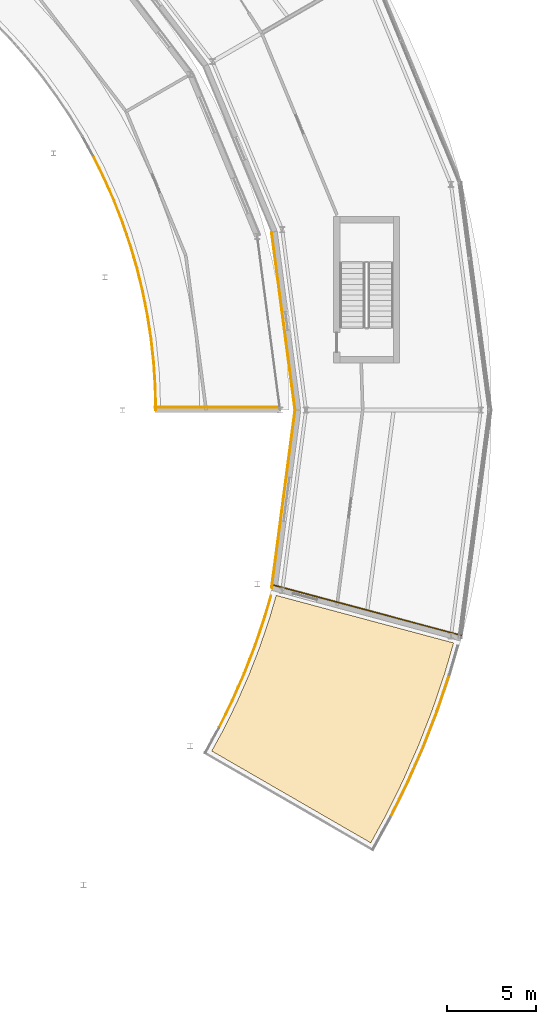
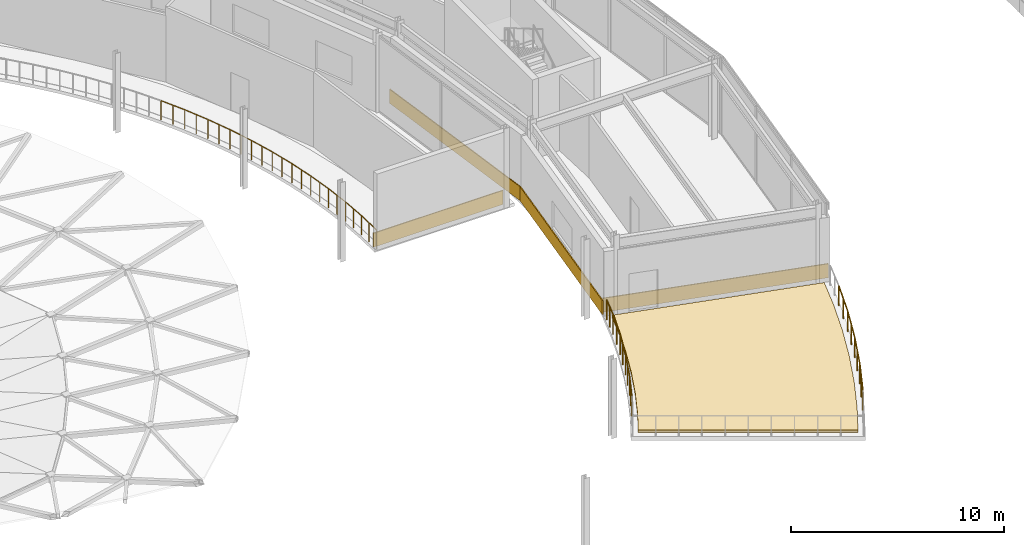
# One storey, part 101 of 116: 20 railings, 5 coverings.
"""IFC4 building model written with IfcOpenShell, lengths in metres."""

from ifc_helpers import new_model, si_unit, direction, frame, origin, origin_2d, place, context, subcontext, project, spatial, polyline, rectangle, circle, outline, extrude, material, layer, layer_set, type_object, element, save


model = new_model("IFC4")

# Units and contexts
model_context = context("Model", 3, precision=1e-05, world=origin(), true_north=direction((0.0, 1.0)))
body_context = subcontext(model_context, "Body", "Model", "MODEL_VIEW")
ifc_project = project(units=[si_unit("LENGTHUNIT", "METRE"), si_unit("AREAUNIT", "SQUARE_METRE"), si_unit("VOLUMEUNIT", "CUBIC_METRE"), si_unit("PLANEANGLEUNIT", "RADIAN"), si_unit("MASSUNIT", "GRAM", prefix="KILO")], contexts=[model_context])

# Site, building, storey
site_placement = place(None, origin())
site = spatial("IfcSite", under=ifc_project, at=site_placement, CompositionType="ELEMENT")
building_placement = place(site_placement, origin())
building = spatial("IfcBuilding", under=site, at=building_placement, Name="Almandine Court Research Institute", CompositionType="ELEMENT")
storey_placement = place(building_placement, frame((0.0, 0.0, 14.35009765625)))
storey = spatial("IfcBuildingStorey", under=building, at=storey_placement, Name="L03", CompositionType="ELEMENT", Elevation=14.35009765625)

# Coverings
ifc_material_1 = material(Name="Extruded Cream-Ochre Seismic Terracotta Spandrel", Category="masonry")
ifc_layer_1 = layer(ifc_material_1, 0.054931640625)
ifc_layer_set_1 = layer_set([ifc_layer_1], Name="Extruded Cream-Ochre Seismic Terracotta Spandrel")
covering_type_1 = type_object("IfcCoveringType", Name="Cov-CLAD-TERR", PredefinedType="CLADDING", material=ifc_layer_set_1)
for number, where, z_axis, x_axis, name in (
    (1, (124.83203125, 51.01904296875, 0.02001953125), (0.0, 0.0, 1.0), (0.13052619222, 0.991444861374, 0.0), "L03 Facade Spandrel Cladding Band 373"),
    (2, (124.83203125, 60.98095703125, 0.02001953125), (0.0, 0.0, 1.0), (-0.13052619222, 0.991444861374, 0.0), "L03 Facade Spandrel Cladding Band 375"),
):
    element("IfcCovering", number, at=place(storey_placement, frame(where, z_axis=z_axis, x_axis=x_axis)), inside=storey, type_object=covering_type_1, Name=name, PredefinedType="CLADDING", context=body_context, shape_type="SweptSolid", body=[
        extrude(rectangle(XDim=10.080078125, YDim=0.054931640625, at=origin_2d()), origin(), (0.0, 0.0, 1.0), 0.800048828125),
    ])
covering_1_placement = place(storey_placement, frame((129.544921875, 44.777099609375, 0.02001953125), z_axis=(0.0, 0.0, 1.0), x_axis=(0.965925826289, -0.258819045103, 0.0)))
element("IfcCovering", 3, at=covering_1_placement, inside=storey, type_object=covering_type_1, Name="L03 Facade Spandrel Cladding Band 400", PredefinedType="CLADDING", context=body_context, shape_type="SweptSolid", body=[
    extrude(rectangle(XDim=10.951904296875, YDim=0.054931640625, at=origin_2d()), origin(), (0.0, 0.0, 1.0), 0.800048828125),
])
covering_2_placement = place(storey_placement, frame((121.125, 56.169921875, 0.02001953125), z_axis=(0.0, 0.0, 1.0), x_axis=(1.0, 0.0, 0.0)))
element("IfcCovering", 4, at=covering_2_placement, inside=storey, type_object=covering_type_1, Name="L03 Facade Spandrel Cladding Band 470", PredefinedType="CLADDING", context=body_context, shape_type="SweptSolid", body=[
    extrude(rectangle(XDim=7.001953125, YDim=0.054931640625, at=origin_2d()), origin(), (0.0, 0.0, 1.0), 0.800048828125),
])
ifc_material_2 = material(Name="Extensive Andean Sedum Planted Green Roof Build-Up")
ifc_layer_2 = layer(ifc_material_2, 0.139892578125)
ifc_layer_set_2 = layer_set([ifc_layer_2], Name="Extensive Andean Sedum Planted Green Roof Build-Up")
covering_type_2 = type_object("IfcCoveringType", Name="Cov-ROOF-GREEN", PredefinedType="ROOFING", material=ifc_layer_set_2)
covering_3_placement = place(storey_placement, origin())
element("IfcCovering", 5, at=covering_3_placement, inside=storey, type_object=covering_type_2, Name="L03 Planted Green Roof Covering 14", PredefinedType="ROOFING", context=body_context, shape_type="SweptSolid", body=[
    extrude(outline(polyline([(129.73291015625, 31.73193359375), (120.81396484375, 36.882080078125), (121.4609375, 38.06103515625), (122.2099609375, 39.5810546875), (122.89208984375, 41.133056640625), (123.507080078125, 42.7119140625), (124.052001953125, 44.318115234375), (124.427978515625, 45.60791015625), (134.376953125, 42.943115234375), (133.875, 41.219970703125), (133.18603515625, 39.18994140625), (132.408935546875, 37.19091796875), (131.544921875, 35.22802734375), (130.595947265625, 33.304931640625), (129.73291015625, 31.73193359375)])), origin(), (0.0, 0.0, 1.0), 0.139892578125),
])

# Railings
ifc_material_3 = material(Name="Architectural Powder-Coated Aluminium Balustrade", Category="aluminium")
railing_type_1 = type_object("IfcRailingType", Name="Rail-BAL-EXT", PredefinedType="BALUSTRADE", material=ifc_material_3)
railing_1_placement = place(storey_placement, frame((121.220947265625, 38.18603515625, 0.0)))
element("IfcRailing", 6, at=railing_1_placement, inside=storey, type_object=railing_type_1, Name="L03 Terrace Perimeter Balustrade 078", PredefinedType="BALUSTRADE", context=body_context, shape_type="SweptSolid", body=[
    extrude(circle(Radius=0.02392578125, at=origin_2d()), frame((0.0, 0.0, 1.1259765625), z_axis=(0.442739997264, 0.89665004033, 0.0), x_axis=(-0.89665004033, 0.442739997264, 0.0)), (0.0, 0.0, 1.0), 1.682861328125),
    extrude(circle(Radius=0.02099609375, at=origin_2d()), origin(), (0.0, 0.0, 1.0), 1.101806640625),
    extrude(circle(Radius=0.02099609375, at=origin_2d()), frame((0.37255859375, 0.75439453125, 0.0)), (0.0, 0.0, 1.0), 1.101806640625),
    extrude(circle(Radius=0.02099609375, at=origin_2d()), frame((0.7451171875, 1.509033203125, 0.0)), (0.0, 0.0, 1.0), 1.101806640625),
])
railing_2_placement = place(storey_placement, frame((121.966064453125, 39.695068359375, 0.0)))
element("IfcRailing", 7, at=railing_2_placement, inside=storey, type_object=railing_type_1, Name="L03 Terrace Perimeter Balustrade 079", PredefinedType="BALUSTRADE", context=body_context, shape_type="SweptSolid", body=[
    extrude(circle(Radius=0.02392578125, at=origin_2d()), frame((0.0, 0.0, 1.1259765625), z_axis=(0.402218437019, 0.91554373403, 0.0), x_axis=(-0.91554373403, 0.402218437019, 0.0)), (0.0, 0.0, 1.0), 1.68310546875),
    extrude(circle(Radius=0.02099609375, at=origin_2d()), origin(), (0.0, 0.0, 1.0), 1.101806640625),
    extrude(circle(Radius=0.02099609375, at=origin_2d()), frame((0.33837890625, 0.7705078125, 0.0)), (0.0, 0.0, 1.0), 1.101806640625),
    extrude(circle(Radius=0.02099609375, at=origin_2d()), frame((0.677001953125, 1.541015625, 0.0)), (0.0, 0.0, 1.0), 1.101806640625),
])
railing_3_placement = place(storey_placement, frame((122.64306640625, 41.236083984375, 0.0)))
element("IfcRailing", 8, at=railing_3_placement, inside=storey, type_object=railing_type_1, Name="L03 Terrace Perimeter Balustrade 080", PredefinedType="BALUSTRADE", context=body_context, shape_type="SweptSolid", body=[
    extrude(circle(Radius=0.02392578125, at=origin_2d()), frame((0.0, 0.0, 1.1259765625), z_axis=(0.362320267757, 0.93205365917, 0.0), x_axis=(-0.93205365917, 0.362320267757, 0.0)), (0.0, 0.0, 1.0), 1.68310546875),
    extrude(circle(Radius=0.02099609375, at=origin_2d()), origin(), (0.0, 0.0, 1.0), 1.101806640625),
    extrude(circle(Radius=0.02099609375, at=origin_2d()), frame((0.304931640625, 0.784423828125, 0.0)), (0.0, 0.0, 1.0), 1.101806640625),
    extrude(circle(Radius=0.02099609375, at=origin_2d()), frame((0.60986328125, 1.56884765625, 0.0)), (0.0, 0.0, 1.0), 1.101806640625),
])
railing_4_placement = place(storey_placement, frame((123.2529296875, 42.804931640625, 0.0)))
element("IfcRailing", 9, at=railing_4_placement, inside=storey, type_object=railing_type_1, Name="L03 Terrace Perimeter Balustrade 081", PredefinedType="BALUSTRADE", context=body_context, shape_type="SweptSolid", body=[
    extrude(circle(Radius=0.02392578125, at=origin_2d()), frame((0.0, 0.0, 1.1259765625), z_axis=(0.32140085865, 0.94694323381, 0.0), x_axis=(-0.94694323381, 0.32140085865, 0.0)), (0.0, 0.0, 1.0), 1.683349609375),
    extrude(circle(Radius=0.02099609375, at=origin_2d()), origin(), (0.0, 0.0, 1.0), 1.101806640625),
    extrude(circle(Radius=0.02099609375, at=origin_2d()), frame((0.2705078125, 0.796875, 0.0)), (0.0, 0.0, 1.0), 1.101806640625),
    extrude(circle(Radius=0.02099609375, at=origin_2d()), frame((0.541015625, 1.593994140625, 0.0)), (0.0, 0.0, 1.0), 1.101806640625),
])
railing_5_placement = place(storey_placement, frame((123.7939453125, 44.39892578125, 0.0)))
element("IfcRailing", 10, at=railing_5_placement, inside=storey, type_object=railing_type_1, Name="L03 Terrace Perimeter Balustrade 082", PredefinedType="BALUSTRADE", context=body_context, shape_type="SweptSolid", body=[
    extrude(circle(Radius=0.02392578125, at=origin_2d()), frame((0.0, 0.0, 1.1259765625), z_axis=(0.279923926377, 0.96002218487, 0.0), x_axis=(-0.96002218487, 0.279923926377, 0.0)), (0.0, 0.0, 1.0), 1.232421875),
    extrude(circle(Radius=0.02099609375, at=origin_2d()), origin(), (0.0, 0.0, 1.0), 1.101806640625),
    extrude(circle(Radius=0.02099609375, at=origin_2d()), frame((0.17236328125, 0.591552734375, 0.0)), (0.0, 0.0, 1.0), 1.101806640625),
    extrude(circle(Radius=0.02099609375, at=origin_2d()), frame((0.344970703125, 1.18310546875, 0.0)), (0.0, 0.0, 1.0), 1.101806640625),
])
railing_6_placement = place(storey_placement, frame((134.133056640625, 41.138916015625, 0.0)))
element("IfcRailing", 11, at=railing_6_placement, inside=storey, type_object=railing_type_1, Name="L03 Terrace Perimeter Balustrade 084", PredefinedType="BALUSTRADE", context=body_context, shape_type="SweptSolid", body=[
    extrude(circle(Radius=0.02392578125, at=origin_2d()), frame((0.0, 0.0, 1.1259765625), z_axis=(-0.321419626478, -0.946936863637, 0.0), x_axis=(0.946936863637, -0.321419626478, 0.0)), (0.0, 0.0, 1.0), 2.156494140625),
    extrude(circle(Radius=0.02099609375, at=origin_2d()), origin(), (0.0, 0.0, 1.0), 1.101806640625),
    extrude(circle(Radius=0.02099609375, at=origin_2d()), frame((-0.3466796875, -1.02099609375, 0.0)), (0.0, 0.0, 1.0), 1.101806640625),
    extrude(circle(Radius=0.02099609375, at=origin_2d()), frame((-0.693115234375, -2.0419921875, 0.0)), (0.0, 0.0, 1.0), 1.101806640625),
])
railing_7_placement = place(storey_placement, frame((133.43994140625, 39.096923828125, 0.0)))
element("IfcRailing", 12, at=railing_7_placement, inside=storey, type_object=railing_type_1, Name="L03 Terrace Perimeter Balustrade 085", PredefinedType="BALUSTRADE", context=body_context, shape_type="SweptSolid", body=[
    extrude(circle(Radius=0.02392578125, at=origin_2d()), frame((0.0, 0.0, 1.1259765625), z_axis=(-0.362724956101, -0.931896242197, 0.0), x_axis=(0.931896242197, -0.362724956101, 0.0)), (0.0, 0.0, 1.0), 2.15576171875),
    extrude(circle(Radius=0.02099609375, at=origin_2d()), origin(), (0.0, 0.0, 1.0), 1.101806640625),
    extrude(circle(Radius=0.02099609375, at=origin_2d()), frame((-0.39111328125, -1.00439453125, 0.0)), (0.0, 0.0, 1.0), 1.101806640625),
    extrude(circle(Radius=0.02099609375, at=origin_2d()), frame((-0.781982421875, -2.009033203125, 0.0)), (0.0, 0.0, 1.0), 1.101806640625),
])
railing_8_placement = place(storey_placement, frame((132.657958984375, 37.087890625, 0.0)))
element("IfcRailing", 13, at=railing_8_placement, inside=storey, type_object=railing_type_1, Name="L03 Terrace Perimeter Balustrade 086", PredefinedType="BALUSTRADE", context=body_context, shape_type="SweptSolid", body=[
    extrude(circle(Radius=0.02392578125, at=origin_2d()), frame((0.0, 0.0, 1.1259765625), z_axis=(-0.402890355711, -0.915248251173, 0.0), x_axis=(0.915248251173, -0.402890355711, 0.0)), (0.0, 0.0, 1.0), 2.15673828125),
    extrude(circle(Radius=0.02099609375, at=origin_2d()), origin(), (0.0, 0.0, 1.0), 1.101806640625),
    extrude(circle(Radius=0.02099609375, at=origin_2d()), frame((-0.4345703125, -0.98681640625, 0.0)), (0.0, 0.0, 1.0), 1.101806640625),
    extrude(circle(Radius=0.02099609375, at=origin_2d()), frame((-0.868896484375, -1.973876953125, 0.0)), (0.0, 0.0, 1.0), 1.101806640625),
])
railing_9_placement = place(storey_placement, frame((131.7890625, 35.114013671875, 0.0)))
element("IfcRailing", 14, at=railing_9_placement, inside=storey, type_object=railing_type_1, Name="L03 Terrace Perimeter Balustrade 087", PredefinedType="BALUSTRADE", context=body_context, shape_type="SweptSolid", body=[
    extrude(circle(Radius=0.02392578125, at=origin_2d()), frame((0.0, 0.0, 1.1259765625), z_axis=(-0.442042937661, -0.896993891431, 0.0), x_axis=(0.896993891431, -0.442042937661, 0.0)), (0.0, 0.0, 1.0), 2.15625),
    extrude(circle(Radius=0.02099609375, at=origin_2d()), origin(), (0.0, 0.0, 1.0), 1.101806640625),
    extrude(circle(Radius=0.02099609375, at=origin_2d()), frame((-0.4765625, -0.967041015625, 0.0)), (0.0, 0.0, 1.0), 1.101806640625),
    extrude(circle(Radius=0.02099609375, at=origin_2d()), frame((-0.953125, -1.93408203125, 0.0)), (0.0, 0.0, 1.0), 1.101806640625),
])
ifc_material_4 = material(Name="Powder-Coated Steel Stair and Atrium Balustrade", Category="steel")
railing_type_2 = type_object("IfcRailingType", Name="Rail-GUARD-INT", PredefinedType="BALUSTRADE", material=ifc_material_4)
railing_10_placement = place(storey_placement, frame((117.679931640625, 56.0, 0.0)))
element("IfcRailing", 15, at=railing_10_placement, inside=storey, type_object=railing_type_2, Name="L03 Atrium Gallery Void Balustrade 001", PredefinedType="BALUSTRADE", context=body_context, shape_type="SweptSolid", body=[
    extrude(circle(Radius=0.02392578125, at=origin_2d()), frame((0.0, 0.0, 1.09619140625), z_axis=(-0.021710210286, 0.999764305609, 0.0), x_axis=(-0.999764305609, -0.021710210286, 0.0)), (0.0, 0.0, 1.0), 1.338134765625),
    extrude(circle(Radius=0.02099609375, at=origin_2d()), origin(), (0.0, 0.0, 1.0), 1.072021484375),
    extrude(circle(Radius=0.02099609375, at=origin_2d()), frame((-0.0146484375, 0.6689453125, 0.0)), (0.0, 0.0, 1.0), 1.072021484375),
    extrude(circle(Radius=0.02099609375, at=origin_2d()), frame((-0.029052734375, 1.337890625, 0.0)), (0.0, 0.0, 1.0), 1.072021484375),
])
railing_11_placement = place(storey_placement, frame((117.65087890625, 57.337890625, 0.0)))
element("IfcRailing", 16, at=railing_11_placement, inside=storey, type_object=railing_type_2, Name="L03 Atrium Gallery Void Balustrade 002", PredefinedType="BALUSTRADE", context=body_context, shape_type="SweptSolid", body=[
    extrude(circle(Radius=0.02392578125, at=origin_2d()), frame((0.0, 0.0, 1.09619140625), z_axis=(-0.065635614277, 0.997843658164, 0.0), x_axis=(-0.997843658164, -0.065635614277, 0.0)), (0.0, 0.0, 1.0), 1.339111328125),
    extrude(circle(Radius=0.02099609375, at=origin_2d()), origin(), (0.0, 0.0, 1.0), 1.072021484375),
    extrude(circle(Radius=0.02099609375, at=origin_2d()), frame((-0.0439453125, 0.66796875, 0.0)), (0.0, 0.0, 1.0), 1.072021484375),
    extrude(circle(Radius=0.02099609375, at=origin_2d()), frame((-0.087890625, 1.336181640625, 0.0)), (0.0, 0.0, 1.0), 1.072021484375),
])
railing_12_placement = place(storey_placement, frame((117.56298828125, 58.674072265625, 0.0)))
element("IfcRailing", 17, at=railing_12_placement, inside=storey, type_object=railing_type_2, Name="L03 Atrium Gallery Void Balustrade 003", PredefinedType="BALUSTRADE", context=body_context, shape_type="SweptSolid", body=[
    extrude(circle(Radius=0.02392578125, at=origin_2d()), frame((0.0, 0.0, 1.09619140625), z_axis=(-0.108329541926, 0.994115038789, 0.0), x_axis=(-0.994115038789, -0.108329541926, 0.0)), (0.0, 0.0, 1.0), 1.338623046875),
    extrude(circle(Radius=0.02099609375, at=origin_2d()), origin(), (0.0, 0.0, 1.0), 1.072021484375),
    extrude(circle(Radius=0.02099609375, at=origin_2d()), frame((-0.072509765625, 0.66552734375, 0.0)), (0.0, 0.0, 1.0), 1.072021484375),
    extrude(circle(Radius=0.02099609375, at=origin_2d()), frame((-0.14501953125, 1.330810546875, 0.0)), (0.0, 0.0, 1.0), 1.072021484375),
])
railing_13_placement = place(storey_placement, frame((117.41796875, 60.0048828125, 0.0)))
element("IfcRailing", 18, at=railing_13_placement, inside=storey, type_object=railing_type_2, Name="L03 Atrium Gallery Void Balustrade 004", PredefinedType="BALUSTRADE", context=body_context, shape_type="SweptSolid", body=[
    extrude(circle(Radius=0.02392578125, at=origin_2d()), frame((0.0, 0.0, 1.09619140625), z_axis=(-0.152290166959, 0.988335826047, 0.0), x_axis=(-0.988335826047, -0.152290166959, 0.0)), (0.0, 0.0, 1.0), 1.338623046875),
    extrude(circle(Radius=0.02099609375, at=origin_2d()), origin(), (0.0, 0.0, 1.0), 1.072021484375),
    extrude(circle(Radius=0.02099609375, at=origin_2d()), frame((-0.10205078125, 0.66162109375, 0.0)), (0.0, 0.0, 1.0), 1.072021484375),
    extrude(circle(Radius=0.02099609375, at=origin_2d()), frame((-0.203857421875, 1.322998046875, 0.0)), (0.0, 0.0, 1.0), 1.072021484375),
])
railing_14_placement = place(storey_placement, frame((117.214111328125, 61.327880859375, 0.0)))
element("IfcRailing", 19, at=railing_14_placement, inside=storey, type_object=railing_type_2, Name="L03 Atrium Gallery Void Balustrade 005", PredefinedType="BALUSTRADE", context=body_context, shape_type="SweptSolid", body=[
    extrude(circle(Radius=0.02392578125, at=origin_2d()), frame((0.0, 0.0, 1.09619140625), z_axis=(-0.19527376044, 0.980748774398, 0.0), x_axis=(-0.980748774398, -0.19527376044, 0.0)), (0.0, 0.0, 1.0), 1.337646484375),
    extrude(circle(Radius=0.02099609375, at=origin_2d()), origin(), (0.0, 0.0, 1.0), 1.072021484375),
    extrude(circle(Radius=0.02099609375, at=origin_2d()), frame((-0.130615234375, 0.656005859375, 0.0)), (0.0, 0.0, 1.0), 1.072021484375),
    extrude(circle(Radius=0.02099609375, at=origin_2d()), frame((-0.26123046875, 1.31201171875, 0.0)), (0.0, 0.0, 1.0), 1.072021484375),
])
railing_15_placement = place(storey_placement, frame((116.952880859375, 62.639892578125, 0.0)))
element("IfcRailing", 20, at=railing_15_placement, inside=storey, type_object=railing_type_2, Name="L03 Atrium Gallery Void Balustrade 006", PredefinedType="BALUSTRADE", context=body_context, shape_type="SweptSolid", body=[
    extrude(circle(Radius=0.02392578125, at=origin_2d()), frame((0.0, 0.0, 1.09619140625), z_axis=(-0.237342236597, 0.971426097409, 0.0), x_axis=(-0.971426097409, -0.237342236597, 0.0)), (0.0, 0.0, 1.0), 1.33935546875),
    extrude(circle(Radius=0.02099609375, at=origin_2d()), origin(), (0.0, 0.0, 1.0), 1.072021484375),
    extrude(circle(Radius=0.02099609375, at=origin_2d()), frame((-0.158935546875, 0.650390625, 0.0)), (0.0, 0.0, 1.0), 1.072021484375),
    extrude(circle(Radius=0.02099609375, at=origin_2d()), frame((-0.31787109375, 1.301025390625, 0.0)), (0.0, 0.0, 1.0), 1.072021484375),
])
railing_16_placement = place(storey_placement, frame((116.635009765625, 63.94091796875, 0.0)))
element("IfcRailing", 21, at=railing_16_placement, inside=storey, type_object=railing_type_2, Name="L03 Atrium Gallery Void Balustrade 007", PredefinedType="BALUSTRADE", context=body_context, shape_type="SweptSolid", body=[
    extrude(circle(Radius=0.02392578125, at=origin_2d()), frame((0.0, 0.0, 1.09619140625), z_axis=(-0.28011204291, 0.959967313723, 0.0), x_axis=(-0.959967313723, -0.28011204291, 0.0)), (0.0, 0.0, 1.0), 1.3388671875),
    extrude(circle(Radius=0.02099609375, at=origin_2d()), origin(), (0.0, 0.0, 1.0), 1.072021484375),
    extrude(circle(Radius=0.02099609375, at=origin_2d()), frame((-0.1875, 0.642578125, 0.0)), (0.0, 0.0, 1.0), 1.072021484375),
    extrude(circle(Radius=0.02099609375, at=origin_2d()), frame((-0.375, 1.28515625, 0.0)), (0.0, 0.0, 1.0), 1.072021484375),
])
railing_17_placement = place(storey_placement, frame((116.260009765625, 65.22607421875, 0.0)))
element("IfcRailing", 22, at=railing_17_placement, inside=storey, type_object=railing_type_2, Name="L03 Atrium Gallery Void Balustrade 008", PredefinedType="BALUSTRADE", context=body_context, shape_type="SweptSolid", body=[
    extrude(circle(Radius=0.02392578125, at=origin_2d()), frame((0.0, 0.0, 1.09619140625), z_axis=(-0.321369403441, 0.946953909402, 0.0), x_axis=(-0.946953909402, -0.321369403441, 0.0)), (0.0, 0.0, 1.0), 1.337890625),
    extrude(circle(Radius=0.02099609375, at=origin_2d()), origin(), (0.0, 0.0, 1.0), 1.072021484375),
    extrude(circle(Radius=0.02099609375, at=origin_2d()), frame((-0.21484375, 0.63330078125, 0.0)), (0.0, 0.0, 1.0), 1.072021484375),
    extrude(circle(Radius=0.02099609375, at=origin_2d()), frame((-0.429931640625, 1.266845703125, 0.0)), (0.0, 0.0, 1.0), 1.072021484375),
])
railing_18_placement = place(storey_placement, frame((115.830078125, 66.492919921875, 0.0)))
element("IfcRailing", 23, at=railing_18_placement, inside=storey, type_object=railing_type_2, Name="L03 Atrium Gallery Void Balustrade 009", PredefinedType="BALUSTRADE", context=body_context, shape_type="SweptSolid", body=[
    extrude(circle(Radius=0.02392578125, at=origin_2d()), frame((0.0, 0.0, 1.09619140625), z_axis=(-0.362287878921, 0.932066249141, 0.0), x_axis=(-0.932066249141, -0.362287878921, 0.0)), (0.0, 0.0, 1.0), 1.339111328125),
    extrude(circle(Radius=0.02099609375, at=origin_2d()), origin(), (0.0, 0.0, 1.0), 1.072021484375),
    extrude(circle(Radius=0.02099609375, at=origin_2d()), frame((-0.24267578125, 0.6240234375, 0.0)), (0.0, 0.0, 1.0), 1.072021484375),
    extrude(circle(Radius=0.02099609375, at=origin_2d()), frame((-0.485107421875, 1.248046875, 0.0)), (0.0, 0.0, 1.0), 1.072021484375),
])
railing_19_placement = place(storey_placement, frame((115.344970703125, 67.740966796875, 0.0)))
element("IfcRailing", 24, at=railing_19_placement, inside=storey, type_object=railing_type_2, Name="L03 Atrium Gallery Void Balustrade 010", PredefinedType="BALUSTRADE", context=body_context, shape_type="SweptSolid", body=[
    extrude(circle(Radius=0.02392578125, at=origin_2d()), frame((0.0, 0.0, 1.09619140625), z_axis=(-0.402750839784, 0.915309653097, 0.0), x_axis=(-0.915309653097, -0.402750839784, 0.0)), (0.0, 0.0, 1.0), 1.33837890625),
    extrude(circle(Radius=0.02099609375, at=origin_2d()), origin(), (0.0, 0.0, 1.0), 1.072021484375),
    extrude(circle(Radius=0.02099609375, at=origin_2d()), frame((-0.26953125, 0.612548828125, 0.0)), (0.0, 0.0, 1.0), 1.072021484375),
    extrude(circle(Radius=0.02099609375, at=origin_2d()), frame((-0.5390625, 1.22509765625, 0.0)), (0.0, 0.0, 1.0), 1.072021484375),
])
railing_20_placement = place(storey_placement, frame((114.805908203125, 68.966064453125, 0.0)))
element("IfcRailing", 25, at=railing_20_placement, inside=storey, type_object=railing_type_2, Name="L03 Atrium Gallery Void Balustrade 011", PredefinedType="BALUSTRADE", context=body_context, shape_type="SweptSolid", body=[
    extrude(circle(Radius=0.02392578125, at=origin_2d()), frame((0.0, 0.0, 1.09619140625), z_axis=(-0.443050037274, 0.896496884809, 0.0), x_axis=(-0.896496884809, -0.443050037274, 0.0)), (0.0, 0.0, 1.0), 1.33837890625),
    extrude(circle(Radius=0.02099609375, at=origin_2d()), origin(), (0.0, 0.0, 1.0), 1.072021484375),
    extrude(circle(Radius=0.02099609375, at=origin_2d()), frame((-0.29638671875, 0.60009765625, 0.0)), (0.0, 0.0, 1.0), 1.072021484375),
    extrude(circle(Radius=0.02099609375, at=origin_2d()), frame((-0.593017578125, 1.199951171875, 0.0)), (0.0, 0.0, 1.0), 1.072021484375),
])

save(model, "model.ifc")
